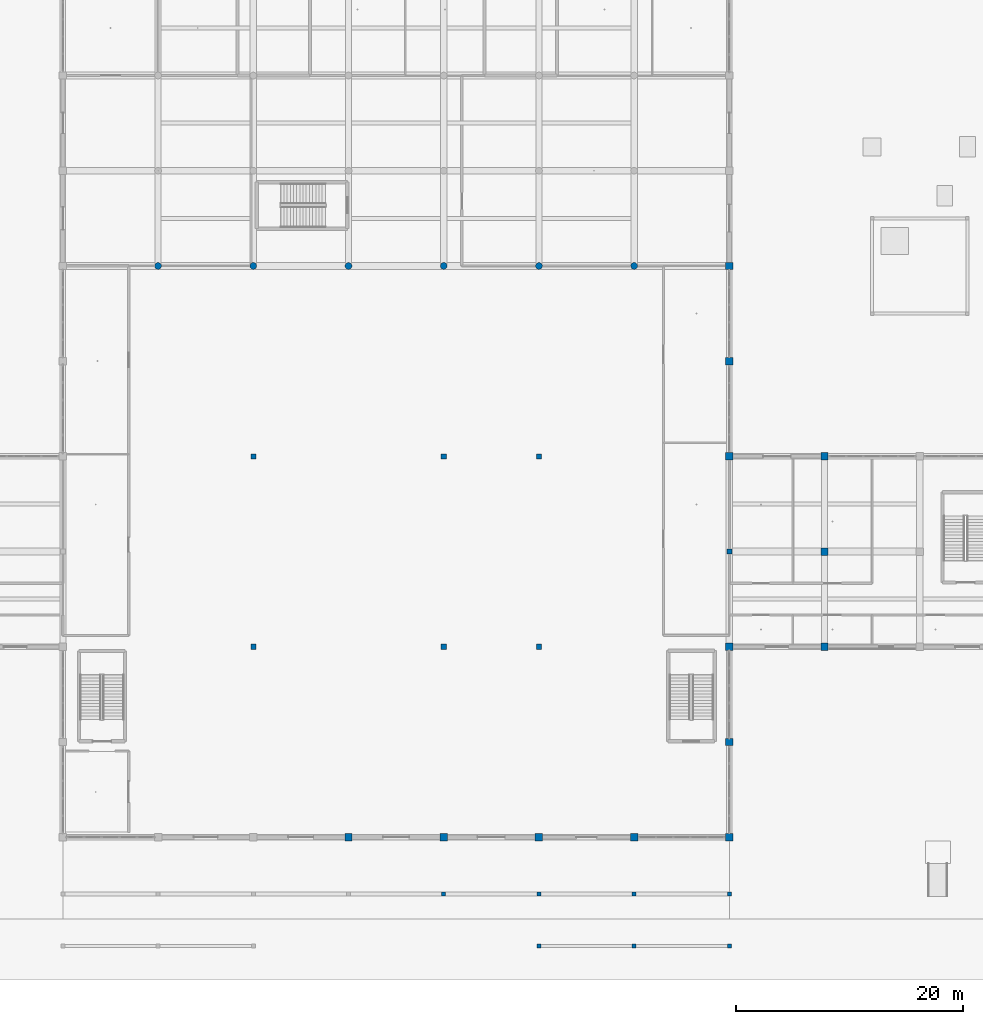
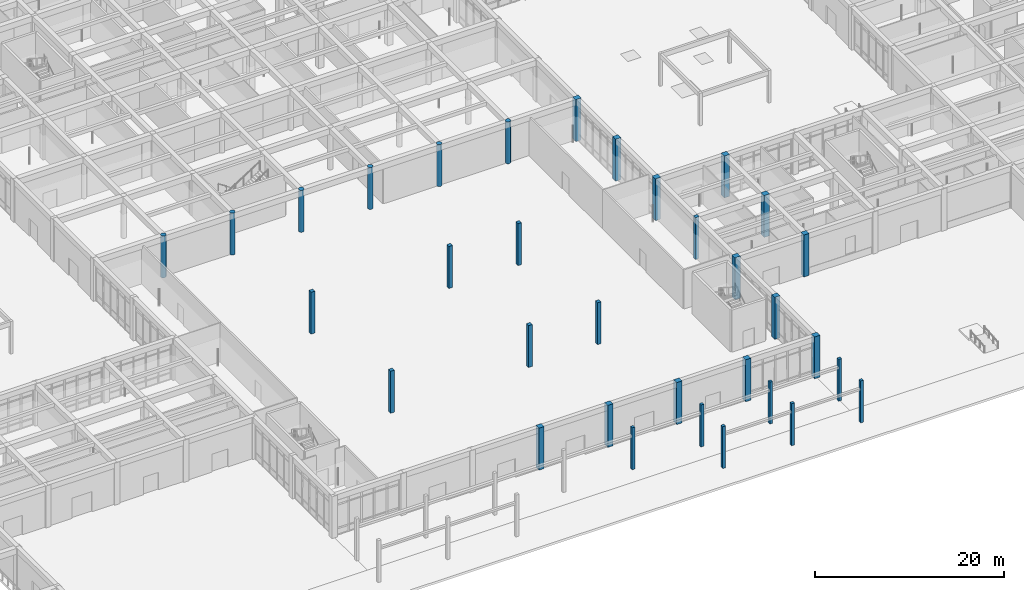
# One storey, part 2 of 167: 33 columns.
"""IFC4 building model written with IfcOpenShell, lengths in metres."""

from ifc_helpers import new_model, si_unit, direction, frame, origin, origin_2d, place, context, subcontext, project, spatial, rectangle, circle, extrude, material, material_profile, profile_set, type_object, element, save


model = new_model("IFC4")

# Units and contexts
model_context = context("Model", 3, precision=1e-05, world=origin(), true_north=direction((0.0, 1.0)))
body_context = subcontext(model_context, "Body", "Model", "MODEL_VIEW")
ifc_project = project(units=[si_unit("LENGTHUNIT", "METRE"), si_unit("AREAUNIT", "SQUARE_METRE"), si_unit("VOLUMEUNIT", "CUBIC_METRE"), si_unit("PLANEANGLEUNIT", "RADIAN"), si_unit("MASSUNIT", "GRAM", prefix="KILO")], contexts=[model_context])

# Site, building, storey
site_placement = place(None, origin())
site = spatial("IfcSite", under=ifc_project, at=site_placement, CompositionType="ELEMENT")
building_placement = place(site_placement, origin())
building = spatial("IfcBuilding", under=site, at=building_placement, Name="Varncliffe General Hospital", CompositionType="ELEMENT")
storey_placement = place(building_placement, origin())
storey = spatial("IfcBuildingStorey", under=building, at=storey_placement, Name="L00", CompositionType="ELEMENT", Elevation=0.0)

# Columns
ifc_material_1 = material(Name="Glulam GL28h (CSA O86 24f-EX, 30 MPa)", Category="wood")
ifc_material_profile_1 = material_profile(ifc_material_1, rectangle(XDim=0.35009765625, YDim=0.35009765625, at=origin_2d()), Name="GL 350x350")
ifc_profile_set_1 = profile_set([ifc_material_profile_1], Name="Glulam GL28h (CSA O86 24f-EX, 30 MPa)")
column_type_1 = type_object("IfcColumnType", Name="Column C12 (Ext GL 350x350)", PredefinedType="COLUMN", material=ifc_profile_set_1)
for number, where, z_axis, x_axis, name in (
    (1, (92.39990234375, 2.199951171875, 0.0), (0.0, 0.0, 1.0), (1.0, 0.0, 0.0), "L00 Column C12"),
    (2, (100.800048828125, -2.39990234375, 0.0), (0.0, 0.0, 1.0), (1.0, 0.0, 0.0), "L00 Column C12"),
    (3, (100.800048828125, 2.199951171875, 0.0), (0.0, 0.0, 1.0), (1.0, 0.0, 0.0), "L00 Column C12"),
    (4, (109.199951171875, -2.39990234375, 0.0), (0.0, 0.0, 1.0), (1.0, 0.0, 0.0), "L00 Column C12"),
    (5, (109.199951171875, 2.199951171875, 0.0), (0.0, 0.0, 1.0), (1.0, 0.0, 0.0), "L00 Column C12"),
    (6, (117.60009765625, -2.39990234375, 0.0), (0.0, 0.0, 1.0), (1.0, 0.0, 0.0), "L00 Column C12"),
    (7, (117.60009765625, 2.199951171875, 0.0), (0.0, 0.0, 1.0), (1.0, 0.0, 0.0), "L00 Column C12"),
):
    element("IfcColumn", number, at=place(storey_placement, frame(where, z_axis=z_axis, x_axis=x_axis)), inside=storey, type_object=column_type_1, Name=name, PredefinedType="COLUMN", context=body_context, shape_type="SweptSolid", body=[
        extrude(rectangle(XDim=0.35009765625, YDim=0.35009765625, at=origin_2d()), origin(), (0.0, 0.0, 1.0), 5.39990234375),
    ])
ifc_material_2 = material(Name="Concrete C40/50 (CSA A23.1 40 MPa)", Category="concrete")
ifc_material_profile_2 = material_profile(ifc_material_2, rectangle(XDim=0.64990234375, YDim=0.64990234375, at=origin_2d()), Name="RC 650x650")
ifc_profile_set_2 = profile_set([ifc_material_profile_2], Name="Concrete C40/50 (CSA A23.1 40 MPa)")
column_type_2 = type_object("IfcColumnType", Name="Column C21 (Ext RC 650x650)", PredefinedType="COLUMN", material=ifc_profile_set_2)
for number, where, z_axis, x_axis, name in (
    (8, (84.0, 7.199951171875, 0.0), (0.0, 0.0, 1.0), (1.0, 0.0, 0.0), "L00 Column C21"),
    (9, (92.39990234375, 7.199951171875, 0.0), (0.0, 0.0, 1.0), (1.0, 0.0, 0.0), "L00 Column C21"),
    (10, (100.800048828125, 7.199951171875, 0.0), (0.0, 0.0, 1.0), (1.0, 0.0, 0.0), "L00 Column C21"),
    (11, (109.199951171875, 7.199951171875, 0.0), (0.0, 0.0, 1.0), (1.0, 0.0, 0.0), "L00 Column C21"),
    (12, (117.60009765625, 7.199951171875, 0.0), (0.0, 0.0, 1.0), (1.0, 0.0, 0.0), "L00 Column C21"),
    (13, (117.60009765625, 15.60009765625, 0.0), (0.0, 0.0, 1.0), (1.0, 0.0, 0.0), "L00 Column C21"),
    (14, (117.60009765625, 24.0, 0.0), (0.0, 0.0, 1.0), (1.0, 0.0, 0.0), "L00 Column C21"),
    (15, (117.60009765625, 40.800048828125, 0.0), (0.0, 0.0, 1.0), (1.0, 0.0, 0.0), "L00 Column C21"),
    (16, (117.60009765625, 49.199951171875, 0.0), (0.0, 0.0, 1.0), (1.0, 0.0, 0.0), "L00 Column C21"),
    (17, (117.60009765625, 57.60009765625, 0.0), (0.0, 0.0, 1.0), (1.0, 0.0, 0.0), "L00 Column C21"),
    (18, (126.0, 24.0, 0.0), (0.0, 0.0, 1.0), (1.0, 0.0, 0.0), "L00 Column C21"),
    (19, (126.0, 40.800048828125, 0.0), (0.0, 0.0, 1.0), (1.0, 0.0, 0.0), "L00 Column C21"),
):
    element("IfcColumn", number, at=place(storey_placement, frame(where, z_axis=z_axis, x_axis=x_axis)), inside=storey, type_object=column_type_2, Name=name, PredefinedType="COLUMN", context=body_context, shape_type="SweptSolid", body=[
        extrude(rectangle(XDim=0.64990234375, YDim=0.64990234375, at=origin_2d()), origin(), (0.0, 0.0, 1.0), 5.39990234375),
    ])
ifc_material_profile_3 = material_profile(ifc_material_2, circle(Radius=0.300048828125, at=origin_2d()), Name="RC D600")
ifc_profile_set_3 = profile_set([ifc_material_profile_3], Name="Concrete C40/50 (CSA A23.1 40 MPa)")
column_type_3 = type_object("IfcColumnType", Name="Column C22 (Int RC D600)", PredefinedType="COLUMN", material=ifc_profile_set_3)
for number, where, z_axis, x_axis, name in (
    (20, (67.199951171875, 57.60009765625, 0.0), (0.0, 0.0, 1.0), (1.0, 0.0, 0.0), "L00 Column C22"),
    (21, (75.60009765625, 57.60009765625, 0.0), (0.0, 0.0, 1.0), (1.0, 0.0, 0.0), "L00 Column C22"),
    (22, (84.0, 57.60009765625, 0.0), (0.0, 0.0, 1.0), (1.0, 0.0, 0.0), "L00 Column C22"),
    (23, (92.39990234375, 57.60009765625, 0.0), (0.0, 0.0, 1.0), (1.0, 0.0, 0.0), "L00 Column C22"),
    (24, (100.800048828125, 57.60009765625, 0.0), (0.0, 0.0, 1.0), (1.0, 0.0, 0.0), "L00 Column C22"),
    (25, (109.199951171875, 57.60009765625, 0.0), (0.0, 0.0, 1.0), (1.0, 0.0, 0.0), "L00 Column C22"),
):
    element("IfcColumn", number, at=place(storey_placement, frame(where, z_axis=z_axis, x_axis=x_axis)), inside=storey, type_object=column_type_3, Name=name, PredefinedType="COLUMN", context=body_context, shape_type="SweptSolid", body=[
        extrude(circle(Radius=0.300048828125, at=origin_2d()), origin(), (0.0, 0.0, 1.0), 5.39990234375),
    ])
ifc_material_profile_4 = material_profile(ifc_material_2, rectangle(XDim=0.64990234375, YDim=0.64990234375, at=origin_2d()), Name="RC 650x650")
ifc_profile_set_4 = profile_set([ifc_material_profile_4], Name="Concrete C40/50 (CSA A23.1 40 MPa)")
column_type_4 = type_object("IfcColumnType", Name="Column C29 (Int RC 650x650)", PredefinedType="COLUMN", material=ifc_profile_set_4)
column_placement = place(storey_placement, frame((126.0, 32.39990234375, 0.0), z_axis=(0.0, 0.0, 1.0), x_axis=(1.0, 0.0, 0.0)))
element("IfcColumn", 26, at=column_placement, inside=storey, type_object=column_type_4, Name="L00 Column C29", PredefinedType="COLUMN", context=body_context, shape_type="SweptSolid", body=[
    extrude(rectangle(XDim=0.64990234375, YDim=0.64990234375, at=origin_2d()), origin(), (0.0, 0.0, 1.0), 5.39990234375),
])
ifc_material_profile_5 = material_profile(ifc_material_1, rectangle(XDim=0.449951171875, YDim=0.449951171875, at=origin_2d()), Name="GL 450x450")
ifc_profile_set_5 = profile_set([ifc_material_profile_5], Name="Glulam GL28h (CSA O86 24f-EX, 30 MPa)")
column_type_5 = type_object("IfcColumnType", Name="Column C36 (Int GL 450x450)", PredefinedType="COLUMN", material=ifc_profile_set_5)
for number, where, z_axis, x_axis, name in (
    (27, (75.60009765625, 24.0, 0.0), (0.0, 0.0, 1.0), (1.0, 0.0, 0.0), "L00 Column C36"),
    (28, (75.60009765625, 40.800048828125, 0.0), (0.0, 0.0, 1.0), (1.0, 0.0, 0.0), "L00 Column C36"),
    (29, (92.39990234375, 24.0, 0.0), (0.0, 0.0, 1.0), (1.0, 0.0, 0.0), "L00 Column C36"),
    (30, (92.39990234375, 40.800048828125, 0.0), (0.0, 0.0, 1.0), (1.0, 0.0, 0.0), "L00 Column C36"),
    (31, (100.800048828125, 24.0, 0.0), (0.0, 0.0, 1.0), (1.0, 0.0, 0.0), "L00 Column C36"),
    (32, (100.800048828125, 40.800048828125, 0.0), (0.0, 0.0, 1.0), (1.0, 0.0, 0.0), "L00 Column C36"),
    (33, (117.60009765625, 32.39990234375, 0.0), (0.0, 0.0, 1.0), (1.0, 0.0, 0.0), "L00 Column C36"),
):
    element("IfcColumn", number, at=place(storey_placement, frame(where, z_axis=z_axis, x_axis=x_axis)), inside=storey, type_object=column_type_5, Name=name, PredefinedType="COLUMN", context=body_context, shape_type="SweptSolid", body=[
        extrude(rectangle(XDim=0.449951171875, YDim=0.449951171875, at=origin_2d()), origin(), (0.0, 0.0, 1.0), 5.39990234375),
    ])

save(model, "model.ifc")
